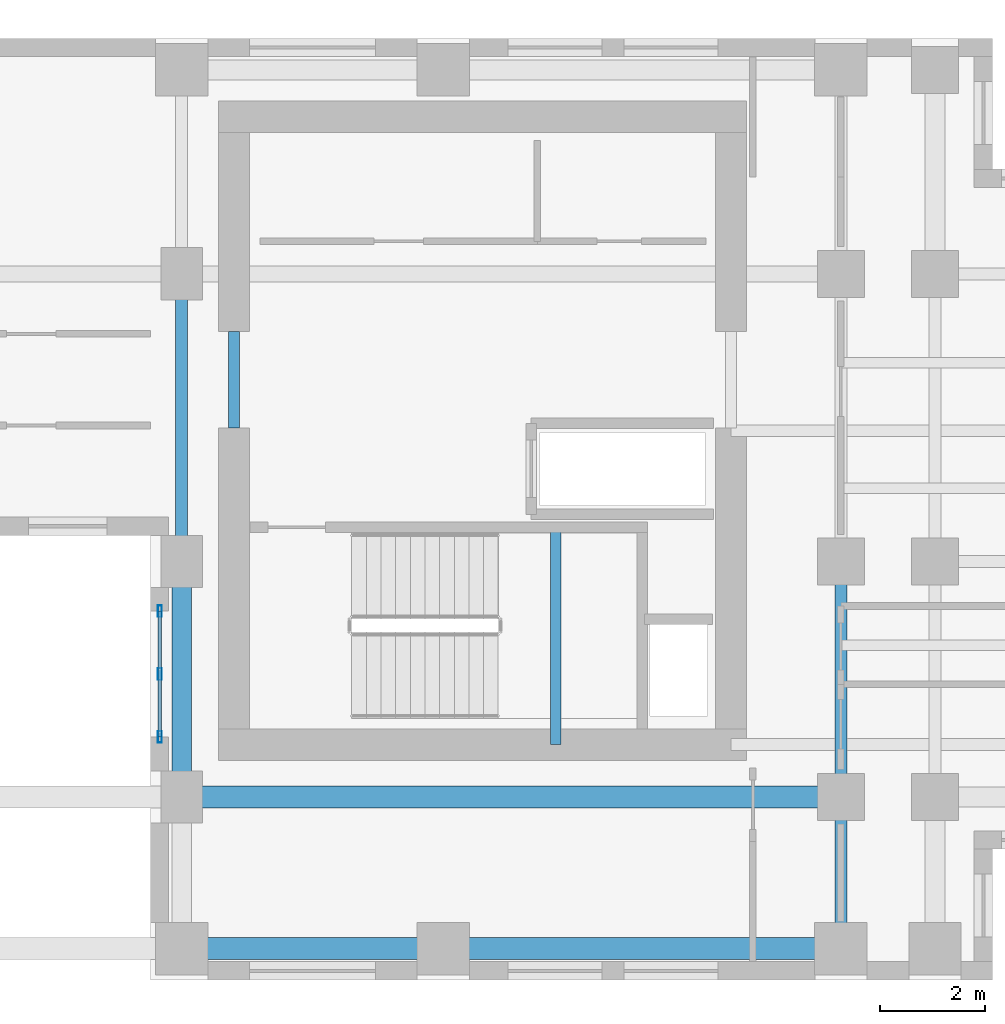
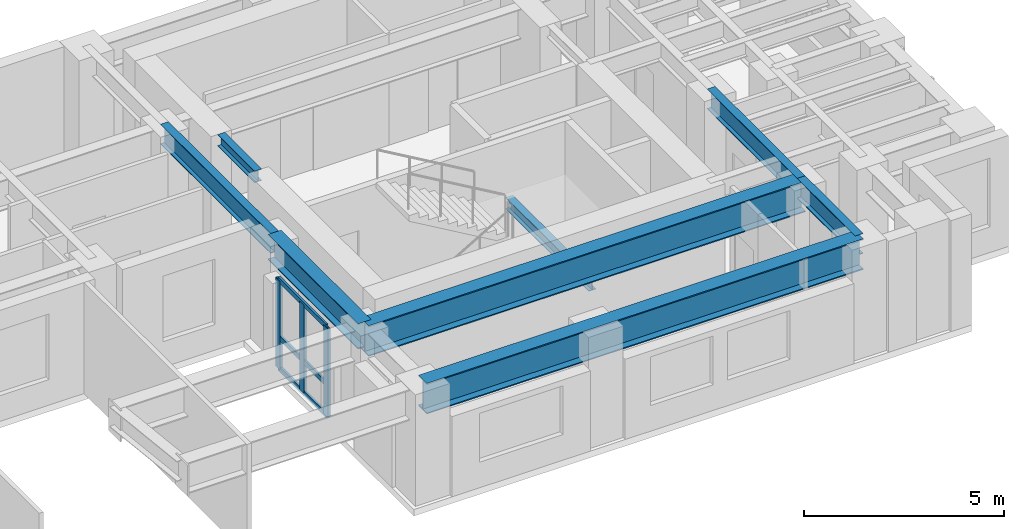
# One storey, part 2 of 13: 8 beams, 6 members, 1 element without a shape of its own.
"""IFC4 building model written with IfcOpenShell, lengths in metres."""

import ifcopenshell
import ifcopenshell.guid

model = None  # the IFC model being written
_history = None  # IfcOwnerHistory: only IFC2X3 demands one
_inside = {}  # id of a spatial element -> (the spatial element, [elements in it])
_under = {}  # id of a project, library or spatial element -> (it, [spatial elements below it])
_declared = {}  # id of a project -> (the project, [libraries it declares])
_typed = {}  # id of a type object -> (the type object, [elements of that type])
_made_of = {}  # id of a material, layer set ... -> (it, [elements and type objects made of it])


def new_model(schema):
    """Start an empty IFC model of exactly this schema.

    Asked for "IFC4X3", IfcOpenShell would pick the latest addendum, in which some entities
    have other attributes; the version numbers below select the first issue.
    IFC2X3 requires an IfcOwnerHistory on every rooted entity: one is made here for all.
    """
    global model, _history
    if schema == "IFC4X3":
        model = ifcopenshell.file(schema_version=(4, 3, 0, 0))
    else:
        model = ifcopenshell.file(schema=schema)
    _inside.clear()
    _under.clear()
    _declared.clear()
    _typed.clear()
    _made_of.clear()
    _history = None
    if model.schema == "IFC2X3":
        org = make("IfcOrganization", Name="unknown")
        user = make(
            "IfcPersonAndOrganization",
            ThePerson=make("IfcPerson", FamilyName="unknown"),
            TheOrganization=org,
        )
        app = make(
            "IfcApplication",
            ApplicationDeveloper=org,
            Version="unknown",
            ApplicationFullName="unknown",
            ApplicationIdentifier="unknown",
        )
        _history = make(
            "IfcOwnerHistory",
            OwningUser=user,
            OwningApplication=app,
            ChangeAction="ADDED",
            CreationDate=0,
        )
    return model


def make(cls, **values):
    """One entity of the class cls with the attributes given. An attribute that is None is left unset."""
    return model.create_entity(
        cls, **{name: value for name, value in values.items() if value is not None}
    )


def rooted(cls, **values):
    """An entity with a GlobalId (a new one), such as an element, a storey or a relation."""
    return make(cls, GlobalId=ifcopenshell.guid.new(), OwnerHistory=_history, **values)


def si_unit(unit_type, name, prefix=None):
    """IfcSIUnit, for example si_unit("LENGTHUNIT", "METRE", prefix="MILLI")."""
    return make("IfcSIUnit", UnitType=unit_type, Prefix=prefix, Name=name)


def assignment(units):
    """IfcUnitAssignment: the units of a project."""
    return None if units is None else make("IfcUnitAssignment", Units=units)


def point(xyz):
    """IfcCartesianPoint."""
    return None if xyz is None else make("IfcCartesianPoint", Coordinates=xyz)


def direction(xyz):
    """IfcDirection."""
    return None if xyz is None else make("IfcDirection", DirectionRatios=xyz)


def frame(location, z_axis=None, x_axis=None):
    """IfcAxis2Placement3D, a coordinate frame: its origin and axes. An axis left out is left unset."""
    return make(
        "IfcAxis2Placement3D",
        Location=point(location),
        Axis=direction(z_axis),
        RefDirection=direction(x_axis),
    )


def frame_2d(location, x_axis=None):
    """IfcAxis2Placement2D, a coordinate frame in the plane: its origin and x axis."""
    return make(
        "IfcAxis2Placement2D", Location=point(location), RefDirection=direction(x_axis)
    )


def origin():
    """The frame at (0, 0, 0) with its axes left unset."""
    return frame((0.0, 0.0, 0.0))


def origin_2d():
    """The frame at (0, 0) in the plane with its x axis left unset."""
    return frame_2d((0.0, 0.0))


def place(relative_to, where):
    """IfcLocalPlacement: puts the frame where relative to a parent placement (None: the world)."""
    return make(
        "IfcLocalPlacement", PlacementRelTo=relative_to, RelativePlacement=where
    )


def context(
    kind, dimensions, precision=None, world=None, true_north=None, identifier=None
):
    """IfcGeometricRepresentationContext, for example the 3D "Model" context."""
    return make(
        "IfcGeometricRepresentationContext",
        ContextIdentifier=identifier,
        ContextType=kind,
        CoordinateSpaceDimension=dimensions,
        Precision=precision,
        WorldCoordinateSystem=world,
        TrueNorth=true_north,
    )


def subcontext(parent, identifier, kind, view, scale=None):
    """IfcGeometricRepresentationSubContext, for example "Body" below "Model"."""
    return make(
        "IfcGeometricRepresentationSubContext",
        ContextIdentifier=identifier,
        ContextType=kind,
        ParentContext=parent,
        TargetScale=scale,
        TargetView=view,
    )


def project(units=None, contexts=None):
    """IfcProject with its units and contexts."""
    return rooted(
        "IfcProject",
        Name="project",
        RepresentationContexts=contexts,
        UnitsInContext=assignment(units),
    )


def spatial(cls, under=None, at=None, **own):
    """A site, building, storey or space (cls), placed at a placement, below another one or the project."""
    s = rooted(cls, ObjectPlacement=at, **own)
    if under is not None:
        _under.setdefault(under.id(), (under, []))[1].append(s)
    return s


def profile(cls, at=None, kind="AREA", **sizes):
    """A parametric profile (cls). Its sizes go by their IFC names, for example OverallWidth=200.0."""
    return make(cls, ProfileType=kind, Position=at, **sizes)


def hollow_rectangle(**sizes):
    """IfcRectangleHollowProfileDef."""
    return profile("IfcRectangleHollowProfileDef", **sizes)


def i_section(**sizes):
    """IfcIShapeProfileDef."""
    return profile("IfcIShapeProfileDef", **sizes)


def extrude(swept, where, along, depth):
    """IfcExtrudedAreaSolid: the profile swept, set in the frame where, extruded along a direction by depth."""
    return make(
        "IfcExtrudedAreaSolid",
        SweptArea=swept,
        Position=where,
        ExtrudedDirection=direction(along),
        Depth=depth,
    )


def shape(context_of_items, identifier, shape_type, items):
    """IfcShapeRepresentation: the items that make up one representation, for example the "Body"."""
    return make(
        "IfcShapeRepresentation",
        ContextOfItems=context_of_items,
        RepresentationIdentifier=identifier,
        RepresentationType=shape_type,
        Items=items,
    )


def source(mapping_origin, context_of_items, identifier, shape_type, items):
    """IfcRepresentationMap: a shape defined once, which mapped items show again and again."""
    return make(
        "IfcRepresentationMap",
        MappingOrigin=mapping_origin,
        MappedRepresentation=shape(context_of_items, identifier, shape_type, items),
    )


def transform(
    local_origin,
    x_axis=None,
    y_axis=None,
    z_axis=None,
    scale=None,
    scale2=None,
    scale3=None,
    uniform=True,
):
    """IfcCartesianTransformationOperator3D, or its non-uniform kind. x_axis, y_axis, z_axis: its Axis1, 2, 3."""
    if uniform:
        return make(
            "IfcCartesianTransformationOperator3D",
            Axis1=direction(x_axis),
            Axis2=direction(y_axis),
            LocalOrigin=point(local_origin),
            Scale=scale,
            Axis3=direction(z_axis),
        )
    return make(
        "IfcCartesianTransformationOperator3DnonUniform",
        Axis1=direction(x_axis),
        Axis2=direction(y_axis),
        LocalOrigin=point(local_origin),
        Scale=scale,
        Axis3=direction(z_axis),
        Scale2=scale2,
        Scale3=scale3,
    )


def mapped(mapping_source, mapping_target):
    """IfcMappedItem: shows the shape of a source again, moved by a transform."""
    return make(
        "IfcMappedItem", MappingSource=mapping_source, MappingTarget=mapping_target
    )


def material(Name=None, Category=None):
    """IfcMaterial."""
    return make("IfcMaterial", Name=Name, Category=Category)


def layer(
    of_material, thickness, ventilated=None, Name=None, Category=None, Priority=None
):
    """IfcMaterialLayer: one layer of a wall or slab, of a material (None: an air gap)."""
    return make(
        "IfcMaterialLayer",
        Material=of_material,
        LayerThickness=thickness,
        IsVentilated=ventilated,
        Name=Name,
        Category=Category,
        Priority=Priority,
    )


def layer_set(layers, Name=None):
    """IfcMaterialLayerSet."""
    return make("IfcMaterialLayerSet", MaterialLayers=layers, LayerSetName=Name)


def material_profile(
    of_material, cross_section, Name=None, Category=None, Priority=None
):
    """IfcMaterialProfile: a cross section and its material."""
    return make(
        "IfcMaterialProfile",
        Name=Name,
        Material=of_material,
        Profile=cross_section,
        Priority=Priority,
        Category=Category,
    )


def profile_set(profiles, Name=None, composite=None):
    """IfcMaterialProfileSet."""
    return make(
        "IfcMaterialProfileSet",
        Name=Name,
        MaterialProfiles=profiles,
        CompositeProfile=composite,
    )


def made_of(thing, what):
    """Note that an element or type object is made of a material, layer set ...; save() writes the relation."""
    if what is not None:
        _made_of.setdefault(what.id(), (what, []))[1].append(thing)
    return thing


def type_object(cls, material=None, **own):
    """A type object (cls), such as IfcWallType, which elements share."""
    return made_of(rooted(cls, **own), material)


def element(
    cls,
    number,
    at=None,
    inside=None,
    cuts=None,
    type_object=None,
    material=None,
    context=None,
    identifier="Body",
    shape_type=None,
    held_by="IfcProductDefinitionShape",
    body=None,
    shapes=None,
    **own,
):
    """One element of the class cls, such as IfcWall. Its Tag is "e" and its number.

    at: its placement. inside: the storey or other place that contains it. cuts: it is an
    opening in that element (IfcRelVoidsElement). A single representation is given by context,
    identifier, shape_type and body (its items); several are given by shapes. held_by: the class
    of the entity that holds the representations. save() writes the other relations.
    """
    e = rooted(cls, Tag="e%d" % number, ObjectPlacement=at, **own)
    if body is not None:
        shapes = [shape(context, identifier, shape_type, body)]
    if shapes is not None:
        e.Representation = make(held_by, Representations=shapes)
    if inside is not None:
        _inside.setdefault(inside.id(), (inside, []))[1].append(e)
    if cuts is not None:
        rooted(
            "IfcRelVoidsElement", RelatingBuildingElement=cuts, RelatedOpeningElement=e
        )
    if type_object is not None:
        _typed.setdefault(type_object.id(), (type_object, []))[1].append(e)
    return made_of(e, material)


def aggregate(whole, parts):
    """IfcRelAggregates: a whole, such as a stair, and the parts it consists of."""
    return rooted("IfcRelAggregates", RelatingObject=whole, RelatedObjects=parts)


def save(model, path):
    """Write the relations noted so far, then the file.

    IfcRelAggregates (storeys below a building ...), IfcRelContainedInSpatialStructure (elements
    in a storey), IfcRelDefinesByType, IfcRelAssociatesMaterial and IfcRelDeclares: one each for
    every whole, place, type object, material and project.
    """
    for whole, parts in _under.values():
        aggregate(whole, parts)
    for where, things in _inside.values():
        rooted(
            "IfcRelContainedInSpatialStructure",
            RelatedElements=things,
            RelatingStructure=where,
        )
    for kind, things in _typed.values():
        rooted("IfcRelDefinesByType", RelatedObjects=things, RelatingType=kind)
    for what, things in _made_of.values():
        rooted("IfcRelAssociatesMaterial", RelatedObjects=things, RelatingMaterial=what)
    for by, libraries in _declared.values():
        rooted("IfcRelDeclares", RelatingContext=by, RelatedDefinitions=libraries)
    model.write(path)


model = new_model("IFC4")

# Units and contexts
model_context = context("Model", 3, precision=1e-05, world=origin(), true_north=direction((0.0, 1.0)))
body_context = subcontext(model_context, "Body", "Model", "MODEL_VIEW")
ifc_project = project(units=[si_unit("LENGTHUNIT", "METRE"), si_unit("AREAUNIT", "SQUARE_METRE"), si_unit("VOLUMEUNIT", "CUBIC_METRE"), si_unit("PLANEANGLEUNIT", "RADIAN"), si_unit("MASSUNIT", "GRAM", prefix="KILO")], contexts=[model_context])

# Site, building, storey
site_placement = place(None, origin())
site = spatial("IfcSite", under=ifc_project, at=site_placement, CompositionType="ELEMENT")
building_placement = place(site_placement, origin())
building = spatial("IfcBuilding", under=site, at=building_placement, Name="Kharzan Plaza Tower", CompositionType="ELEMENT")
storey_placement = place(building_placement, frame((0.0, 0.0, 175.5)))
storey = spatial("IfcBuildingStorey", under=building, at=storey_placement, Name="L47", CompositionType="ELEMENT", Elevation=175.5)

# Beams
ifc_material_1 = material(Name="Steel S355", Category="steel")
ifc_material_profile_1 = material_profile(ifc_material_1, i_section(OverallWidth=0.205078125, OverallDepth=0.35400390625, WebThickness=0.009521484375, FlangeThickness=0.016845703125, at=origin_2d()), Name="W360x79")
ifc_profile_set_1 = profile_set([ifc_material_profile_1], Name="Steel S355")
beam_type_1 = type_object("IfcBeamType", Name="BM-LNT360", PredefinedType="LINTEL", material=ifc_profile_set_1)
shared_shape_1 = source(origin(), body_context, "Body", "SweptSolid", [
    extrude(i_section(OverallWidth=0.205078125, OverallDepth=0.35400390625, WebThickness=0.009521484375, FlangeThickness=0.016845703125, at=origin_2d()), origin(), (0.0, 0.0, 1.0), 1.849853515625),
])
beam_1_placement = place(storey_placement, frame((36.0, 10.550048828125, 3.222900390625), z_axis=(0.0, 1.0, 0.0), x_axis=(-1.0, 0.0, 0.0)))
element("IfcBeam", 1, at=beam_1_placement, inside=storey, type_object=beam_type_1, Name="L47 CORE-B coupling lintel LN1-WW", PredefinedType="LINTEL", context=body_context, shape_type="MappedRepresentation", body=[
    mapped(shared_shape_1, transform((0.0, 0.0, 0.0), x_axis=(1.0, 0.0, 0.0), y_axis=(0.0, 1.0, 0.0), z_axis=(0.0, 0.0, 1.0))),
])
shared_shape_2 = source(origin(), body_context, "Body", "SweptSolid", [
    extrude(i_section(OverallWidth=0.205078125, OverallDepth=0.35400390625, WebThickness=0.009521484375, FlangeThickness=0.016845703125, at=origin_2d()), origin(), (0.0, 0.0, 1.0), 4.155029296875),
])
beam_2_placement = place(storey_placement, frame((42.14990234375, 4.5, 1.423095703125), z_axis=(0.0, 1.0, 0.0), x_axis=(-1.0, 0.0, 0.0)))
element("IfcBeam", 2, at=beam_2_placement, inside=storey, type_object=beam_type_1, Name="L47 Stair ST-3 Half-Landing Beam", PredefinedType="LINTEL", context=body_context, shape_type="MappedRepresentation", body=[
    mapped(shared_shape_2, transform((0.0, 0.0, 0.0), x_axis=(1.0, 0.0, 0.0), y_axis=(0.0, 1.0, 0.0), z_axis=(0.0, 0.0, 1.0))),
])

# Curtain wall, members
ifc_material_2 = material(Name="Unitised Bronze-Anodized Aluminium and Low-E Glass", Category="aluminium")
ifc_layer = layer(ifc_material_2, 0.199951171875)
ifc_layer_set = layer_set([ifc_layer], Name="Unitised Bronze-Anodized Aluminium and Low-E Glass")
curtain_wall_type = type_object("IfcCurtainWallType", Name="CW-SLOT-3", PredefinedType="NOTDEFINED", material=ifc_layer_set)
curtain_wall_placement = place(storey_placement, origin())
curtain_wall = element("IfcCurtainWall", 3, at=curtain_wall_placement, inside=storey, type_object=curtain_wall_type, Name="L47 East Slot Recessed Spine Curtain Wall", PredefinedType="NOTDEFINED")
ifc_material_3 = material(Name="Anodized Bronze Aluminium", Category="aluminium")
ifc_material_profile_2 = material_profile(ifc_material_3, hollow_rectangle(XDim=0.074951171875, YDim=0.219970703125, WallThickness=0.00390625, at=origin_2d()), Name="ALU-M220x75x4")
ifc_profile_set_2 = profile_set([ifc_material_profile_2], Name="Anodized Bronze Aluminium")
member_type_1 = type_object("IfcMemberType", Name="MEM-CW-MUL200", PredefinedType="MULLION", material=ifc_profile_set_2)
shared_shape_3 = source(origin(), body_context, "Body", "SweptSolid", [
    extrude(hollow_rectangle(XDim=0.074951171875, YDim=0.219970703125, WallThickness=0.00390625, at=origin_2d()), origin(), (0.0, 0.0, 1.0), 2.699951171875),
])
member_1_placement = place(storey_placement, frame((34.580078125, 4.64990234375, 0.0), z_axis=(0.0, 0.0, 1.0), x_axis=(1.0, 0.0, 0.0)))
member_1 = element("IfcMember", 4, at=member_1_placement, type_object=member_type_1, Name="L47 Curtain-Wall Mullion 00", PredefinedType="MULLION", context=body_context, shape_type="MappedRepresentation", body=[
    mapped(shared_shape_3, transform((0.0, 0.0, 0.0), x_axis=(1.0, 0.0, 0.0), y_axis=(0.0, 1.0, 0.0), z_axis=(0.0, 0.0, 1.0))),
])
member_2_placement = place(storey_placement, frame((34.580078125, 5.85009765625, 0.0), z_axis=(0.0, 0.0, 1.0), x_axis=(1.0, 0.0, 0.0)))
member_2 = element("IfcMember", 5, at=member_2_placement, type_object=member_type_1, Name="L47 Curtain-Wall Mullion 01", PredefinedType="MULLION", context=body_context, shape_type="MappedRepresentation", body=[
    mapped(shared_shape_3, transform((0.0, 0.0, 0.0), x_axis=(1.0, 0.0, 0.0), y_axis=(0.0, 1.0, 0.0), z_axis=(0.0, 0.0, 1.0))),
])
member_3_placement = place(storey_placement, frame((34.580078125, 7.050048828125, 0.0), z_axis=(0.0, 0.0, 1.0), x_axis=(1.0, 0.0, 0.0)))
member_3 = element("IfcMember", 6, at=member_3_placement, type_object=member_type_1, Name="L47 Curtain-Wall Mullion 02", PredefinedType="MULLION", context=body_context, shape_type="MappedRepresentation", body=[
    mapped(shared_shape_3, transform((0.0, 0.0, 0.0), x_axis=(1.0, 0.0, 0.0), y_axis=(0.0, 1.0, 0.0), z_axis=(0.0, 0.0, 1.0))),
])

# Beams
ifc_material_profile_3 = material_profile(ifc_material_1, i_section(OverallWidth=0.41796875, OverallDepth=0.93701171875, WebThickness=0.019287109375, FlangeThickness=0.031982421875, at=origin_2d()), Name="W920x342")
ifc_profile_set_3 = profile_set([ifc_material_profile_3], Name="Steel S355")
beam_type_2 = type_object("IfcBeamType", Name="BM-ZTB920", PredefinedType="BEAM", material=ifc_profile_set_3)
shared_shape_4 = source(origin(), body_context, "Body", "SweptSolid", [
    extrude(i_section(OverallWidth=0.41796875, OverallDepth=0.93701171875, WebThickness=0.019287109375, FlangeThickness=0.031982421875, at=origin_2d()), origin(), (0.0, 0.0, 1.0), 12.60009765625),
])
for number, where, z_axis, x_axis, name in (
    (7, (47.60009765625, 0.60009765625, 2.931396484375), (-1.0, 0.0, 0.0), (0.0, -1.0, 0.0), "L47 Sky-Terrace Back-Span Girder ZTB1 (L48 G1)"),
    (8, (47.60009765625, 3.5, 2.931396484375), (-1.0, 0.0, 0.0), (0.0, -1.0, 0.0), "L47 Sky-Terrace Back-Span Girder ZTB1 (L48 G2)"),
):
    element("IfcBeam", number, at=place(storey_placement, frame(where, z_axis=z_axis, x_axis=x_axis)), inside=storey, type_object=beam_type_2, Name=name, PredefinedType="BEAM", context=body_context, shape_type="MappedRepresentation", body=[
        mapped(shared_shape_4, transform((0.0, 0.0, 0.0), x_axis=(1.0, 0.0, 0.0), y_axis=(0.0, 1.0, 0.0), z_axis=(0.0, 0.0, 1.0))),
    ])

# Member
ifc_material_profile_4 = material_profile(ifc_material_3, hollow_rectangle(XDim=0.06005859375, YDim=0.14990234375, WallThickness=0.00341796875, at=origin_2d()), Name="ALU-T150x60x3.5")
ifc_profile_set_4 = profile_set([ifc_material_profile_4], Name="Anodized Bronze Aluminium")
member_type_2 = type_object("IfcMemberType", Name="MEM-CW-TRN150", PredefinedType="USERDEFINED", material=ifc_profile_set_4)
shared_shape_5 = source(origin(), body_context, "Body", "SweptSolid", [
    extrude(hollow_rectangle(XDim=0.06005859375, YDim=0.14990234375, WallThickness=0.00341796875, at=origin_2d()), origin(), (0.0, 0.0, 1.0), 2.400146484375),
])
member_4_placement = place(storey_placement, frame((34.580078125, 4.64990234375, 0.0), z_axis=(0.0, 1.0, 0.0), x_axis=(-1.0, 0.0, 0.0)))
member_4 = element("IfcMember", 9, at=member_4_placement, type_object=member_type_2, Name="L47 Curtain-Wall Transom 1", ObjectType="TRANSOM", PredefinedType="USERDEFINED", context=body_context, shape_type="MappedRepresentation", body=[
    mapped(shared_shape_5, transform((0.0, 0.0, 0.0), x_axis=(1.0, 0.0, 0.0), y_axis=(0.0, 1.0, 0.0), z_axis=(0.0, 0.0, 1.0))),
])

member_5_placement = place(storey_placement, frame((34.580078125, 4.64990234375, 0.949951171875), z_axis=(0.0, 1.0, 0.0), x_axis=(-1.0, 0.0, 0.0)))
member_5 = element("IfcMember", 10, at=member_5_placement, type_object=member_type_2, Name="L47 Curtain-Wall Transom 2", ObjectType="TRANSOM", PredefinedType="USERDEFINED", context=body_context, shape_type="MappedRepresentation", body=[
    mapped(shared_shape_5, transform((0.0, 0.0, 0.0), x_axis=(1.0, 0.0, 0.0), y_axis=(0.0, 1.0, 0.0), z_axis=(0.0, 0.0, 1.0))),
])

member_6_placement = place(storey_placement, frame((34.580078125, 4.64990234375, 2.699951171875), z_axis=(0.0, 1.0, 0.0), x_axis=(-1.0, 0.0, 0.0)))
member_6 = element("IfcMember", 11, at=member_6_placement, type_object=member_type_2, Name="L47 Curtain-Wall Transom 3", ObjectType="TRANSOM", PredefinedType="USERDEFINED", context=body_context, shape_type="MappedRepresentation", body=[
    mapped(shared_shape_5, transform((0.0, 0.0, 0.0), x_axis=(1.0, 0.0, 0.0), y_axis=(0.0, 1.0, 0.0), z_axis=(0.0, 0.0, 1.0))),
])

aggregate(curtain_wall, [member_1, member_2, member_3, member_4, member_5, member_6])

# Beams
ifc_material_profile_5 = material_profile(ifc_material_1, i_section(OverallWidth=0.22900390625, OverallDepth=0.612060546875, WebThickness=0.011962890625, FlangeThickness=0.01953125, at=origin_2d()), Name="W610x125")
ifc_profile_set_5 = profile_set([ifc_material_profile_5], Name="Steel S355")
beam_type_3 = type_object("IfcBeamType", Name="BM-FG610B", PredefinedType="BEAM", material=ifc_profile_set_5)
shared_shape_6 = source(origin(), body_context, "Body", "SweptSolid", [
    extrude(i_section(OverallWidth=0.22900390625, OverallDepth=0.612060546875, WebThickness=0.011962890625, FlangeThickness=0.01953125, at=origin_2d()), origin(), (0.0, 0.0, 1.0), 4.5),
])
beam_3_placement = place(storey_placement, frame((47.60009765625, 3.5, 3.093994140625), z_axis=(0.0, 1.0, 0.0), x_axis=(-1.0, 0.0, 0.0)))
element("IfcBeam", 12, at=beam_3_placement, inside=storey, type_object=beam_type_3, Name="L47 Interior Frame Girder", PredefinedType="BEAM", context=body_context, shape_type="MappedRepresentation", body=[
    mapped(shared_shape_6, transform((0.0, 0.0, 0.0), x_axis=(1.0, 0.0, 0.0), y_axis=(0.0, 1.0, 0.0), z_axis=(0.0, 0.0, 1.0))),
])
shared_shape_7 = source(origin(), body_context, "Body", "SweptSolid", [
    extrude(i_section(OverallWidth=0.22900390625, OverallDepth=0.612060546875, WebThickness=0.011962890625, FlangeThickness=0.01953125, at=origin_2d()), origin(), (0.0, 0.0, 1.0), 5.5),
])
beam_4_placement = place(storey_placement, frame((35.0, 8.0, 3.093994140625), z_axis=(0.0, 1.0, 0.0), x_axis=(-1.0, 0.0, 0.0)))
element("IfcBeam", 13, at=beam_4_placement, inside=storey, type_object=beam_type_3, Name="L47 Interior Frame Girder", PredefinedType="BEAM", context=body_context, shape_type="MappedRepresentation", body=[
    mapped(shared_shape_7, transform((0.0, 0.0, 0.0), x_axis=(1.0, 0.0, 0.0), y_axis=(0.0, 1.0, 0.0), z_axis=(0.0, 0.0, 1.0))),
])
shared_shape_8 = source(origin(), body_context, "Body", "SweptSolid", [
    extrude(i_section(OverallWidth=0.22900390625, OverallDepth=0.612060546875, WebThickness=0.011962890625, FlangeThickness=0.01953125, at=origin_2d()), origin(), (0.0, 0.0, 1.0), 2.89990234375),
])
beam_5_placement = place(storey_placement, frame((47.60009765625, 0.60009765625, 3.093994140625), z_axis=(0.0, 1.0, 0.0), x_axis=(-1.0, 0.0, 0.0)))
element("IfcBeam", 14, at=beam_5_placement, inside=storey, type_object=beam_type_3, Name="L47 Interior Frame Girder", PredefinedType="BEAM", context=body_context, shape_type="MappedRepresentation", body=[
    mapped(shared_shape_8, transform((0.0, 0.0, 0.0), x_axis=(1.0, 0.0, 0.0), y_axis=(0.0, 1.0, 0.0), z_axis=(0.0, 0.0, 1.0))),
])
ifc_material_profile_6 = material_profile(ifc_material_1, i_section(OverallWidth=0.381103515625, OverallDepth=0.77294921875, WebThickness=0.0166015625, FlangeThickness=0.027587890625, at=origin_2d()), Name="W760x257")
ifc_profile_set_6 = profile_set([ifc_material_profile_6], Name="Steel S355")
beam_type_4 = type_object("IfcBeamType", Name="BM-SP760A", PredefinedType="SPANDREL", material=ifc_profile_set_6)
shared_shape_9 = source(origin(), body_context, "Body", "SweptSolid", [
    extrude(i_section(OverallWidth=0.381103515625, OverallDepth=0.77294921875, WebThickness=0.0166015625, FlangeThickness=0.027587890625, at=origin_2d()), origin(), (0.0, 0.0, 1.0), 4.5),
])
beam_6_placement = place(storey_placement, frame((35.0, 3.5, 3.013427734375), z_axis=(0.0, 1.0, 0.0), x_axis=(-1.0, 0.0, 0.0)))
element("IfcBeam", 15, at=beam_6_placement, inside=storey, type_object=beam_type_4, Name="L47 Perimeter Tube Spandrel", PredefinedType="SPANDREL", context=body_context, shape_type="MappedRepresentation", body=[
    mapped(shared_shape_9, transform((0.0, 0.0, 0.0), x_axis=(1.0, 0.0, 0.0), y_axis=(0.0, 1.0, 0.0), z_axis=(0.0, 0.0, 1.0))),
])

save(model, "model.ifc")
